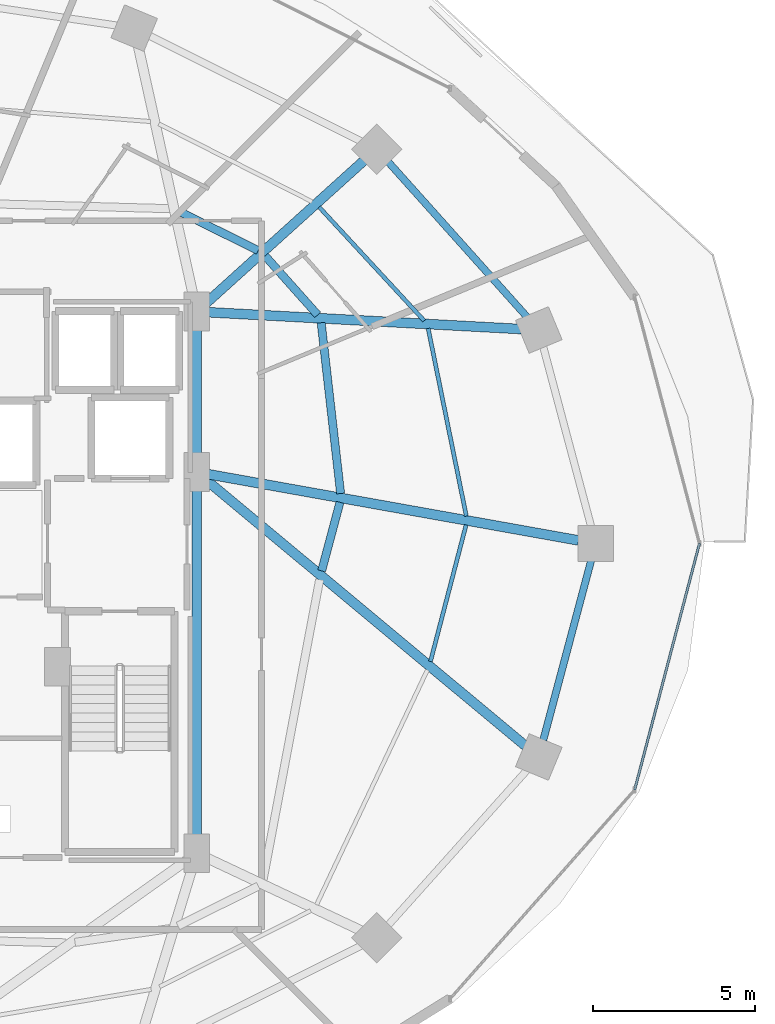
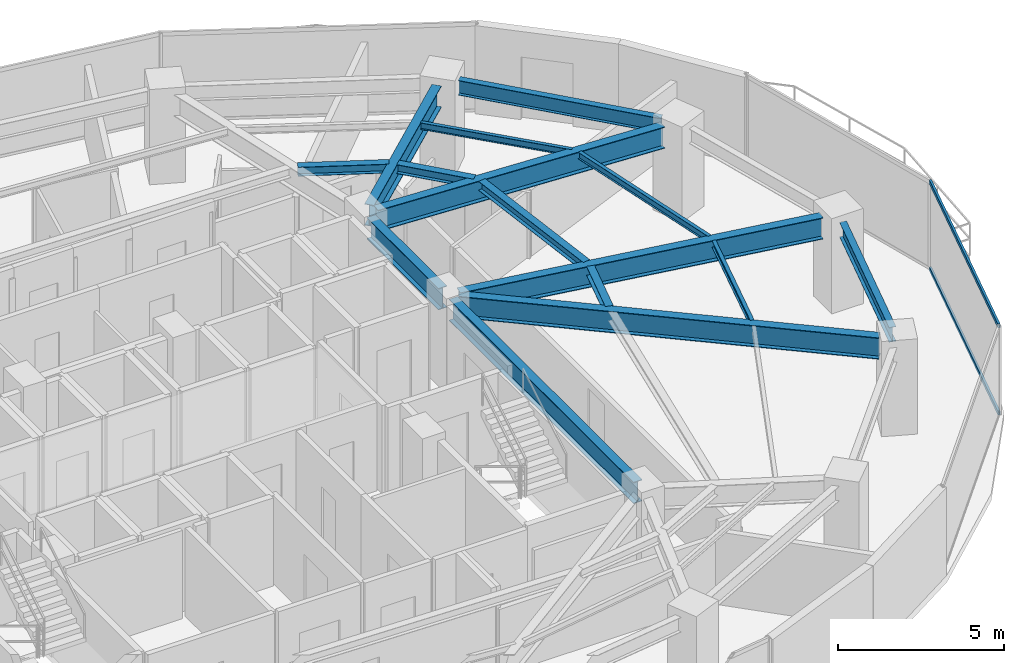
# One storey, part 15 of 30: 15 beams, 2 members, 1 element without a shape of its own.
"""IFC4 building model written with IfcOpenShell, lengths in metres."""

from ifc_helpers import new_model, si_unit, direction, frame, origin, origin_2d, place, context, subcontext, project, spatial, hollow_rectangle, i_section, extrude, material, material_profile, profile_set, type_object, element, aggregate, save


model = new_model("IFC4")

# Units and contexts
model_context = context("Model", 3, precision=1e-05, world=origin(), true_north=direction((0.0, 1.0)))
body_context = subcontext(model_context, "Body", "Model", "MODEL_VIEW")
ifc_project = project(units=[si_unit("LENGTHUNIT", "METRE"), si_unit("AREAUNIT", "SQUARE_METRE"), si_unit("VOLUMEUNIT", "CUBIC_METRE"), si_unit("PLANEANGLEUNIT", "RADIAN"), si_unit("MASSUNIT", "GRAM", prefix="KILO")], contexts=[model_context])

# Site, building, storey
site_placement = place(None, origin())
site = spatial("IfcSite", under=ifc_project, at=site_placement, CompositionType="ELEMENT")
building_placement = place(site_placement, origin())
building = spatial("IfcBuilding", under=site, at=building_placement, Name="Vorneva Point Tower", CompositionType="ELEMENT")
storey_placement = place(building_placement, frame((0.0, 0.0, 106.800048828125)))
storey = spatial("IfcBuildingStorey", under=building, at=storey_placement, Name="L28", CompositionType="ELEMENT", Elevation=106.800048828125)

# Beams
ifc_material_1 = material(Name="Steel S355", Category="steel")
ifc_material_profile_1 = material_profile(ifc_material_1, i_section(OverallWidth=0.300048828125, OverallDepth=0.7880859375, WebThickness=0.014404296875, FlangeThickness=0.02197265625, at=origin_2d()), Name="80Sh1")
ifc_profile_set_1 = profile_set([ifc_material_profile_1], Name="Steel S355")
beam_type_1 = type_object("IfcBeamType", Name="BM-GRD-80Sh1", PredefinedType="USERDEFINED", material=ifc_profile_set_1)
beam_1_placement = place(storey_placement, frame((60.5205078125, 26.0947265625, 2.845947265625), z_axis=(-0.984378310682, 0.176066298476, 0.0), x_axis=(-0.176066298476, -0.984378310682, 0.0)))
element("IfcBeam", 1, at=beam_1_placement, inside=storey, type_object=beam_type_1, Name="L28 Radial Primary Girder 01", ObjectType="GIRDER", PredefinedType="USERDEFINED", context=body_context, shape_type="SweptSolid", body=[
    extrude(i_section(OverallWidth=0.300048828125, OverallDepth=0.7880859375, WebThickness=0.014404296875, FlangeThickness=0.02197265625, at=origin_2d()), origin(), (0.0, 0.0, 1.0), 11.6171875),
])
beam_2_placement = place(storey_placement, frame((58.75830078125, 32.611083984375, 2.845947265625), z_axis=(-0.998554075878, 0.053756465161, 0.0), x_axis=(-0.053756465161, -0.998554075878, 0.0)))
element("IfcBeam", 2, at=beam_2_placement, inside=storey, type_object=beam_type_1, Name="L28 Radial Primary Girder 02", ObjectType="GIRDER", PredefinedType="USERDEFINED", context=body_context, shape_type="SweptSolid", body=[
    extrude(i_section(OverallWidth=0.300048828125, OverallDepth=0.7880859375, WebThickness=0.014404296875, FlangeThickness=0.02197265625, at=origin_2d()), origin(), (0.0, 0.0, 1.0), 9.6826171875),
])
beam_3_placement = place(storey_placement, frame((53.899658203125, 37.801513671875, 2.845947265625), z_axis=(-0.742097300344, -0.670292172729, 0.0), x_axis=(0.670292172729, -0.742097300344, 0.0)))
element("IfcBeam", 3, at=beam_3_placement, inside=storey, type_object=beam_type_1, Name="L28 Radial Primary Girder 03", ObjectType="GIRDER", PredefinedType="USERDEFINED", context=body_context, shape_type="SweptSolid", body=[
    extrude(i_section(OverallWidth=0.300048828125, OverallDepth=0.7880859375, WebThickness=0.014404296875, FlangeThickness=0.02197265625, at=origin_2d()), origin(), (0.0, 0.0, 1.0), 6.599365234375),
])
beam_4_placement = place(storey_placement, frame((58.882080078125, 19.76220703125, 2.845947265625), z_axis=(-0.768431550428, 0.639931990376, 0.0), x_axis=(-0.639931990376, -0.768431550428, 0.0)))
element("IfcBeam", 4, at=beam_4_placement, inside=storey, type_object=beam_type_1, Name="L28 Radial Primary Girder 16", ObjectType="GIRDER", PredefinedType="USERDEFINED", context=body_context, shape_type="SweptSolid", body=[
    extrude(i_section(OverallWidth=0.300048828125, OverallDepth=0.7880859375, WebThickness=0.014404296875, FlangeThickness=0.02197265625, at=origin_2d()), origin(), (0.0, 0.0, 1.0), 12.845458984375),
])
beam_5_placement = place(storey_placement, frame((48.75, 16.77001953125, 2.845947265625), z_axis=(0.0, 1.0, 0.0), x_axis=(-1.0, 0.0, 0.0)))
element("IfcBeam", 5, at=beam_5_placement, inside=storey, type_object=beam_type_1, Name="L28 Core Tie Girder CT3", ObjectType="GIRDER", PredefinedType="USERDEFINED", context=body_context, shape_type="SweptSolid", body=[
    extrude(i_section(OverallWidth=0.300048828125, OverallDepth=0.7880859375, WebThickness=0.014404296875, FlangeThickness=0.02197265625, at=origin_2d()), origin(), (0.0, 0.0, 1.0), 11.10986328125),
])
beam_6_placement = place(storey_placement, frame((48.75, 28.52001953125, 2.845947265625), z_axis=(0.0, 1.0, 0.0), x_axis=(-1.0, 0.0, 0.0)))
element("IfcBeam", 6, at=beam_6_placement, inside=storey, type_object=beam_type_1, Name="L28 Core Tie Girder CT4", ObjectType="GIRDER", PredefinedType="USERDEFINED", context=body_context, shape_type="SweptSolid", body=[
    extrude(i_section(OverallWidth=0.300048828125, OverallDepth=0.7880859375, WebThickness=0.014404296875, FlangeThickness=0.02197265625, at=origin_2d()), origin(), (0.0, 0.0, 1.0), 4.31005859375),
])
ifc_material_profile_2 = material_profile(ifc_material_1, i_section(OverallWidth=0.1240234375, OverallDepth=0.248046875, WebThickness=0.0048828125, FlangeThickness=0.008056640625, at=origin_2d()), Name="25B1")
ifc_profile_set_2 = profile_set([ifc_material_profile_2], Name="Steel S355")
beam_type_2 = type_object("IfcBeamType", Name="BM-JST-25B1", PredefinedType="JOIST", material=ifc_profile_set_2)
beam_7_placement = place(storey_placement, frame((57.062255859375, 26.843505859375, 3.115966796875), z_axis=(-0.199294352555, 0.979939672143, 0.0), x_axis=(-0.979939672143, -0.199294352555, 0.0)))
element("IfcBeam", 7, at=beam_7_placement, inside=storey, type_object=beam_type_2, Name="L28 Secondary Floor Beam 1.01", PredefinedType="JOIST", context=body_context, shape_type="SweptSolid", body=[
    extrude(i_section(OverallWidth=0.1240234375, OverallDepth=0.248046875, WebThickness=0.0048828125, FlangeThickness=0.008056640625, at=origin_2d()), origin(), (0.0, 0.0, 1.0), 5.906982421875),
])
beam_8_placement = place(storey_placement, frame((55.763916015625, 32.86865234375, 3.115966796875), z_axis=(-0.678811075328, 0.734312960537, 0.0), x_axis=(-0.734312960537, -0.678811075328, 0.0)))
element("IfcBeam", 8, at=beam_8_placement, inside=storey, type_object=beam_type_2, Name="L28 Secondary Floor Beam 1.02", PredefinedType="JOIST", context=body_context, shape_type="SweptSolid", body=[
    extrude(i_section(OverallWidth=0.1240234375, OverallDepth=0.248046875, WebThickness=0.0048828125, FlangeThickness=0.008056640625, at=origin_2d()), origin(), (0.0, 0.0, 1.0), 4.772705078125),
])
beam_9_placement = place(storey_placement, frame((55.95556640625, 22.36181640625, 3.115966796875), z_axis=(0.252497222917, 0.967597619065, 0.0), x_axis=(-0.967597619065, 0.252497222917, 0.0)))
element("IfcBeam", 9, at=beam_9_placement, inside=storey, type_object=beam_type_2, Name="L28 Secondary Floor Beam 1.16", PredefinedType="JOIST", context=body_context, shape_type="SweptSolid", body=[
    extrude(i_section(OverallWidth=0.1240234375, OverallDepth=0.248046875, WebThickness=0.0048828125, FlangeThickness=0.008056640625, at=origin_2d()), origin(), (0.0, 0.0, 1.0), 4.35400390625),
])
ifc_material_profile_3 = material_profile(ifc_material_1, i_section(OverallWidth=0.2490234375, OverallDepth=0.333984375, WebThickness=0.008056640625, FlangeThickness=0.010986328125, at=origin_2d()), Name="35Sh1")
ifc_profile_set_3 = profile_set([ifc_material_profile_3], Name="Steel S355")
beam_type_3 = type_object("IfcBeamType", Name="BM-SEC-35Sh1", PredefinedType="BEAM", material=ifc_profile_set_3)
beam_10_placement = place(storey_placement, frame((53.185791015625, 27.541015625, 3.072998046875), z_axis=(-0.113176336235, 0.993574917616, 0.0), x_axis=(-0.993574917616, -0.113176336235, 0.0)))
element("IfcBeam", 10, at=beam_10_placement, inside=storey, type_object=beam_type_3, Name="L28 Secondary Floor Beam 2.01", PredefinedType="BEAM", context=body_context, shape_type="SweptSolid", body=[
    extrude(i_section(OverallWidth=0.2490234375, OverallDepth=0.333984375, WebThickness=0.008056640625, FlangeThickness=0.010986328125, at=origin_2d()), origin(), (0.0, 0.0, 1.0), 5.300048828125),
])
beam_11_placement = place(storey_placement, frame((52.478515625, 33.04736328125, 3.072998046875), z_axis=(-0.665165430595, 0.746696022449, 0.0), x_axis=(-0.746696022449, -0.665165430595, 0.0)))
element("IfcBeam", 11, at=beam_11_placement, inside=storey, type_object=beam_type_3, Name="L28 Secondary Floor Beam 2.02", PredefinedType="BEAM", context=body_context, shape_type="SweptSolid", body=[
    extrude(i_section(OverallWidth=0.2490234375, OverallDepth=0.333984375, WebThickness=0.008056640625, FlangeThickness=0.010986328125, at=origin_2d()), origin(), (0.0, 0.0, 1.0), 2.4375),
])
beam_12_placement = place(storey_placement, frame((50.641845703125, 35.031982421875, 3.072998046875), z_axis=(-0.895505315746, 0.445050816728, 0.0), x_axis=(-0.445050816728, -0.895505315746, 0.0)))
element("IfcBeam", 12, at=beam_12_placement, inside=storey, type_object=beam_type_3, Name="L28 Secondary Floor Beam 2.03", PredefinedType="BEAM", context=body_context, shape_type="SweptSolid", body=[
    extrude(i_section(OverallWidth=0.2490234375, OverallDepth=0.333984375, WebThickness=0.008056640625, FlangeThickness=0.010986328125, at=origin_2d()), origin(), (0.0, 0.0, 1.0), 2.756103515625),
])
beam_13_placement = place(storey_placement, frame((52.600341796875, 25.156494140625, 3.072998046875), z_axis=(0.258488854847, 0.966014240019, 0.0), x_axis=(-0.966014240019, 0.258488854847, 0.0)))
element("IfcBeam", 13, at=beam_13_placement, inside=storey, type_object=beam_type_3, Name="L28 Secondary Floor Beam 2.16", PredefinedType="BEAM", context=body_context, shape_type="SweptSolid", body=[
    extrude(i_section(OverallWidth=0.2490234375, OverallDepth=0.333984375, WebThickness=0.008056640625, FlangeThickness=0.010986328125, at=origin_2d()), origin(), (0.0, 0.0, 1.0), 2.1884765625),
])
ifc_material_profile_4 = material_profile(ifc_material_1, i_section(OverallWidth=0.219970703125, OverallDepth=0.54296875, WebThickness=0.009521484375, FlangeThickness=0.013427734375, at=origin_2d()), Name="55B1")
ifc_profile_set_4 = profile_set([ifc_material_profile_4], Name="Steel S355")
beam_type_4 = type_object("IfcBeamType", Name="BM-SPN-55B1", PredefinedType="SPANDREL", material=ifc_profile_set_4)
beam_14_placement = place(storey_placement, frame((58.9384765625, 32.980712890625, 2.968505859375), z_axis=(-0.667073815664, 0.744991627105, 0.0), x_axis=(-0.744991627105, -0.667073815664, 0.0)))
element("IfcBeam", 14, at=beam_14_placement, inside=storey, type_object=beam_type_4, Name="L28 Perimeter Spandrel Ring Beam 02", PredefinedType="SPANDREL", context=body_context, shape_type="SweptSolid", body=[
    extrude(i_section(OverallWidth=0.219970703125, OverallDepth=0.54296875, WebThickness=0.009521484375, FlangeThickness=0.013427734375, at=origin_2d()), origin(), (0.0, 0.0, 1.0), 6.420166015625),
])
beam_15_placement = place(storey_placement, frame((59.43310546875, 19.934814453125, 2.968505859375), z_axis=(0.257572674071, 0.966258928845, 0.0), x_axis=(-0.966258928845, 0.257572674071, 0.0)))
element("IfcBeam", 15, at=beam_15_placement, inside=storey, type_object=beam_type_4, Name="L28 Perimeter Spandrel Ring Beam 16", PredefinedType="SPANDREL", context=body_context, shape_type="SweptSolid", body=[
    extrude(i_section(OverallWidth=0.219970703125, OverallDepth=0.54296875, WebThickness=0.009521484375, FlangeThickness=0.013427734375, at=origin_2d()), origin(), (0.0, 0.0, 1.0), 5.7421875),
])

# Curtain wall, members
ifc_material_2 = material(Name="Pale anodised aluminium", Category="aluminium")
curtain_wall_type = type_object("IfcCurtainWallType", Name="CW-HTL-SYS", PredefinedType="NOTDEFINED", material=ifc_material_2)
curtain_wall_placement = place(storey_placement, origin())
curtain_wall = element("IfcCurtainWall", 16, at=curtain_wall_placement, inside=storey, type_object=curtain_wall_type, Name="L28 Unitised Curtain Wall CW-L28-R01", PredefinedType="NOTDEFINED")
ifc_material_profile_5 = material_profile(ifc_material_2, hollow_rectangle(XDim=0.074951171875, YDim=0.14990234375, WallThickness=0.00390625, at=origin_2d()), Name="AL-TRN 150x75x4")
ifc_profile_set_5 = profile_set([ifc_material_profile_5], Name="Pale anodised aluminium")
member_type = type_object("IfcMemberType", Name="CW-TRN-150", PredefinedType="USERDEFINED", material=ifc_profile_set_5)
member_1_placement = place(storey_placement, frame((62.251708984375, 18.40380859375, 0.02001953125), z_axis=(0.254409150465, 0.967096677773, 0.0), x_axis=(-0.967096677773, 0.254409150465, 0.0)))
member_1 = element("IfcMember", 17, at=member_1_placement, type_object=member_type, Name="CW-L28-R01 Transom 02.1", ObjectType="TRANSOM", PredefinedType="USERDEFINED", context=body_context, shape_type="SweptSolid", body=[
    extrude(hollow_rectangle(XDim=0.074951171875, YDim=0.14990234375, WallThickness=0.00390625, at=origin_2d()), origin(), (0.0, 0.0, 1.0), 7.854736328125),
])
member_2_placement = place(storey_placement, frame((62.251708984375, 18.40380859375, 3.219970703125), z_axis=(0.254409150465, 0.967096677773, 0.0), x_axis=(-0.967096677773, 0.254409150465, 0.0)))
member_2 = element("IfcMember", 18, at=member_2_placement, type_object=member_type, Name="CW-L28-R01 Transom 02.2", ObjectType="TRANSOM", PredefinedType="USERDEFINED", context=body_context, shape_type="SweptSolid", body=[
    extrude(hollow_rectangle(XDim=0.074951171875, YDim=0.14990234375, WallThickness=0.00390625, at=origin_2d()), origin(), (0.0, 0.0, 1.0), 7.854736328125),
])
aggregate(curtain_wall, [member_1, member_2])

save(model, "model.ifc")
